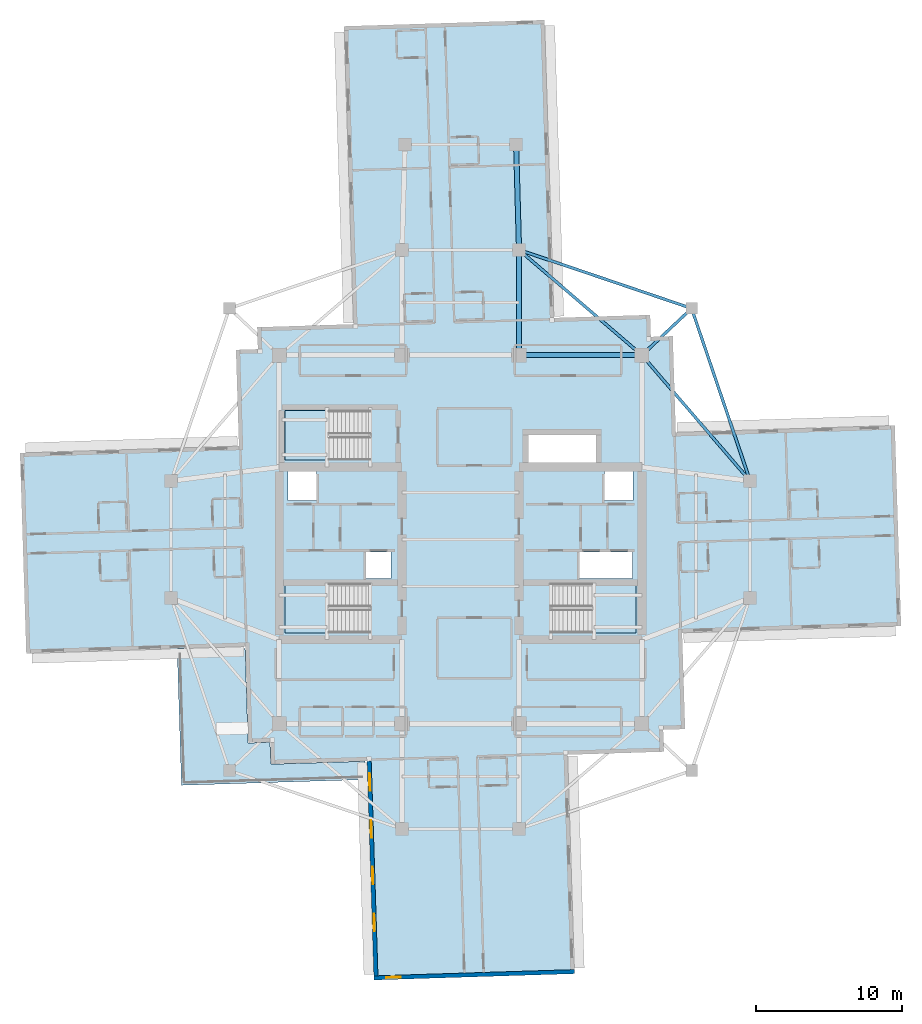
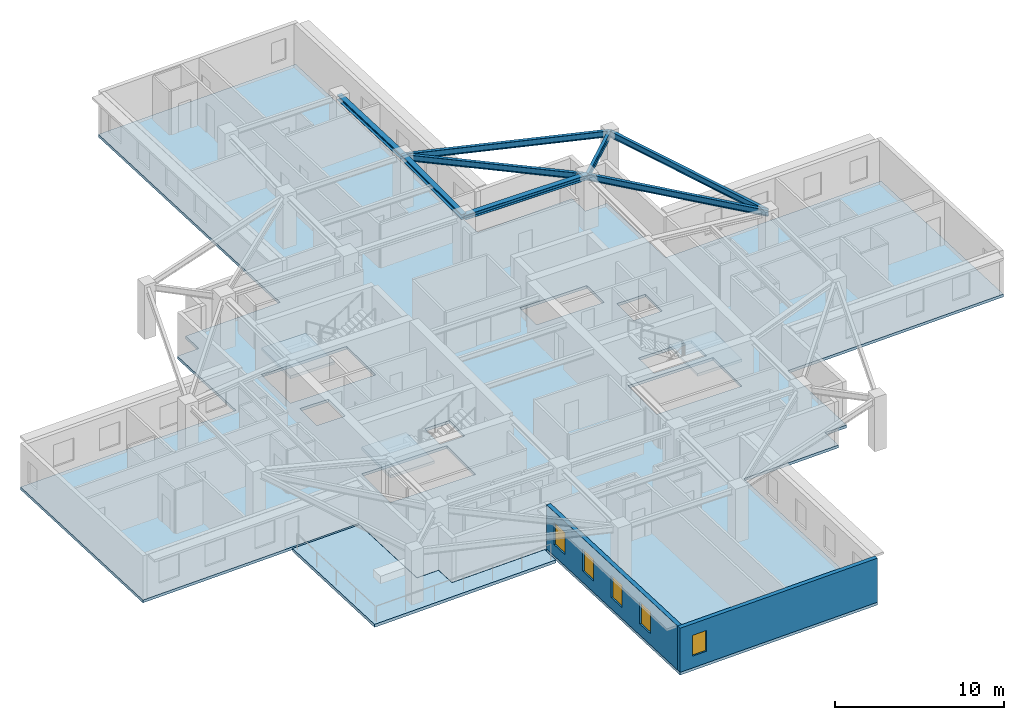
# One storey, part 2 of 12: 8 beams, 5 slabs, 5 windows, 2 walls, 5 openings, 3 elements without a shape of their own.
"""IFC4 building model written with IfcOpenShell, lengths in metres."""

from ifc_helpers import new_model, si_unit, direction, frame, frame_2d, origin, origin_2d, place, context, subcontext, project, spatial, polyline, rectangle, i_section, outline, extrude, material, layer, layer_set, material_profile, profile_set, type_object, element, fill, aggregate, save


model = new_model("IFC4")

# Units and contexts
model_context = context("Model", 3, precision=1e-05, world=origin(), true_north=direction((0.0, 1.0)))
body_context = subcontext(model_context, "Body", "Model", "MODEL_VIEW")
ifc_project = project(units=[si_unit("LENGTHUNIT", "METRE"), si_unit("AREAUNIT", "SQUARE_METRE"), si_unit("VOLUMEUNIT", "CUBIC_METRE"), si_unit("PLANEANGLEUNIT", "RADIAN"), si_unit("MASSUNIT", "GRAM", prefix="KILO")], contexts=[model_context])

# Site, building, storey
site_placement = place(None, origin())
site = spatial("IfcSite", under=ifc_project, at=site_placement, CompositionType="ELEMENT")
building_placement = place(site_placement, origin())
building = spatial("IfcBuilding", under=site, at=building_placement, Name="Qingluan Cross Belvedere", CompositionType="ELEMENT")
storey_placement = place(building_placement, frame((0.0, 0.0, 216.89990234375)))
storey = spatial("IfcBuildingStorey", under=building, at=storey_placement, Name="L54", CompositionType="ELEMENT", Elevation=216.89990234375)

# Beams
ifc_material_1 = material(Name="Steel Q420GJB", Category="steel")
ifc_material_profile_1 = material_profile(ifc_material_1, i_section(OverallWidth=0.199951171875, OverallDepth=0.449951171875, WebThickness=0.009033203125, FlangeThickness=0.013916015625, FilletRadius=0.01611328125, at=origin_2d()), Name="HN450x200x9x14")
ifc_profile_set_1 = profile_set([ifc_material_profile_1], Name="Steel Q420GJB")
beam_type_1 = type_object("IfcBeamType", Name="Steel_Beam_HN450x200x9x14", PredefinedType="JOIST", material=ifc_profile_set_1)
beam_1_placement = place(storey_placement, frame((12.39990234375, 12.60009765625, 3.47509765625), z_axis=(0.728219948308, 0.685343495546, 0.0), x_axis=(-0.685343495546, 0.728219948308, 0.0)))
element("IfcBeam", 1, at=beam_1_placement, inside=storey, type_object=beam_type_1, Name="Corner beam 1 L54-RNE", PredefinedType="JOIST", context=body_context, shape_type="SweptSolid", body=[
    extrude(i_section(OverallWidth=0.199951171875, OverallDepth=0.449951171875, WebThickness=0.009033203125, FlangeThickness=0.013916015625, FilletRadius=0.01611328125, at=origin_2d()), origin(), (0.0, 0.0, 1.0), 4.669189453125),
])
for number, where, z_axis, x_axis, name in (
    (2, (15.800048828125, 15.800048828125, 3.47509765625), (-0.947066283324, 0.321038089628, 0.0), (-0.321038089628, -0.947066283324, 0.0), "Corner beam 2 L54-RNE"),
    (3, (15.800048828125, 15.800048828125, 3.47509765625), (0.321038089628, -0.947066283324, 0.0), (0.947066283324, 0.321038089628, 0.0), "Corner beam 3 L54-RNE"),
):
    element("IfcBeam", number, at=place(storey_placement, frame(where, z_axis=z_axis, x_axis=x_axis)), inside=storey, type_object=beam_type_1, Name=name, PredefinedType="JOIST", context=body_context, shape_type="SweptSolid", body=[
        extrude(i_section(OverallWidth=0.199951171875, OverallDepth=0.449951171875, WebThickness=0.009033203125, FlangeThickness=0.013916015625, FilletRadius=0.01611328125, at=origin_2d()), origin(), (0.0, 0.0, 1.0), 12.45947265625),
    ])
beam_2_placement = place(storey_placement, frame((12.39990234375, 12.60009765625, 3.47509765625), z_axis=(0.652245077546, -0.75800815221, 0.0), x_axis=(0.75800815221, 0.652245077546, 0.0)))
element("IfcBeam", 4, at=beam_2_placement, inside=storey, type_object=beam_type_1, Name="Corner beam 4 L54-RNE", PredefinedType="JOIST", context=body_context, shape_type="SweptSolid", body=[
    extrude(i_section(OverallWidth=0.199951171875, OverallDepth=0.449951171875, WebThickness=0.009033203125, FlangeThickness=0.013916015625, FilletRadius=0.01611328125, at=origin_2d()), origin(), (0.0, 0.0, 1.0), 11.345703125),
])
beam_3_placement = place(storey_placement, frame((12.39990234375, 12.60009765625, 3.47509765625), z_axis=(-0.759255044656, 0.650793190779, 0.0), x_axis=(-0.650793190779, -0.759255044656, 0.0)))
element("IfcBeam", 5, at=beam_3_placement, inside=storey, type_object=beam_type_1, Name="Corner beam 5 L54-RNE", PredefinedType="JOIST", context=body_context, shape_type="SweptSolid", body=[
    extrude(i_section(OverallWidth=0.199951171875, OverallDepth=0.449951171875, WebThickness=0.009033203125, FlangeThickness=0.013916015625, FilletRadius=0.01611328125, at=origin_2d()), origin(), (0.0, 0.0, 1.0), 11.063232421875),
])
ifc_material_2 = material(Name="Steel Q420GJB", Category="steel")
ifc_material_profile_2 = material_profile(ifc_material_2, i_section(OverallWidth=0.35009765625, OverallDepth=0.35009765625, WebThickness=0.011962890625, FlangeThickness=0.01904296875, FilletRadius=0.02001953125, at=origin_2d()), Name="HW350x350x12x19")
ifc_profile_set_2 = profile_set([ifc_material_profile_2], Name="Steel Q420GJB")
beam_type_2 = type_object("IfcBeamType", Name="Steel_Girder_HW350x350x12x19", PredefinedType="USERDEFINED", material=ifc_profile_set_2)
beam_4_placement = place(storey_placement, frame((4.0, 12.60009765625, 3.525146484375), z_axis=(1.0, 0.0, 0.0), x_axis=(0.0, 1.0, 0.0)))
element("IfcBeam", 6, at=beam_4_placement, inside=storey, type_object=beam_type_2, Name="Hub girder L54-HG-N3", ObjectType="GIRDER", PredefinedType="USERDEFINED", context=body_context, shape_type="SweptSolid", body=[
    extrude(i_section(OverallWidth=0.35009765625, OverallDepth=0.35009765625, WebThickness=0.011962890625, FlangeThickness=0.01904296875, FilletRadius=0.02001953125, at=origin_2d()), origin(), (0.0, 0.0, 1.0), 8.39990234375),
])
beam_5_placement = place(storey_placement, frame((4.0, 12.60009765625, 3.525146484375), z_axis=(0.0, 1.0, 0.0), x_axis=(-1.0, 0.0, 0.0)))
element("IfcBeam", 7, at=beam_5_placement, inside=storey, type_object=beam_type_2, Name="Arm N radial girder B L54", ObjectType="GIRDER", PredefinedType="USERDEFINED", context=body_context, shape_type="SweptSolid", body=[
    extrude(i_section(OverallWidth=0.35009765625, OverallDepth=0.35009765625, WebThickness=0.011962890625, FlangeThickness=0.01904296875, FilletRadius=0.02001953125, at=origin_2d()), origin(), (0.0, 0.0, 1.0), 7.199951171875),
])
beam_6_placement = place(storey_placement, frame((4.0, 19.800048828125, 3.525146484375), z_axis=(-0.027760481514, 0.999614603568, 0.0), x_axis=(-0.999614603568, -0.027760481514, 0.0)))
element("IfcBeam", 8, at=beam_6_placement, inside=storey, type_object=beam_type_2, Name="Arm N outer radial girder B L54", ObjectType="GIRDER", PredefinedType="USERDEFINED", context=body_context, shape_type="SweptSolid", body=[
    extrude(i_section(OverallWidth=0.35009765625, OverallDepth=0.35009765625, WebThickness=0.011962890625, FlangeThickness=0.01904296875, FilletRadius=0.02001953125, at=origin_2d()), origin(), (0.0, 0.0, 1.0), 7.20263671875),
])

# Slab
ifc_material_3 = material(Name="Concrete C40", Category="concrete")
ifc_layer_1 = layer(ifc_material_3, 0.199951171875, Name="FloorSlab_200")
ifc_layer_set_1 = layer_set([ifc_layer_1], Name="Concrete C40")
slab_type_1 = type_object("IfcSlabType", Name="FloorSlab_200", PredefinedType="FLOOR", material=ifc_layer_set_1)
slab_1_placement = place(storey_placement, frame((0.0, 0.0, -0.199951171875)))
element("IfcSlab", 9, at=slab_1_placement, inside=storey, type_object=slab_type_1, Name="Structural floor slab L54", PredefinedType="FLOOR", context=body_context, shape_type="SweptSolid", body=[
    extrude(outline(polyline([(7.79638671875, -29.689697265625), (7.325927734375, -14.71728515625), (13.902587890625, -14.510498046875), (13.85546875, -13.01123046875), (15.354736328125, -12.964111328125), (15.148193359375, -6.38720703125), (30.12060546875, -5.916748046875), (29.689697265625, 7.79638671875), (14.71728515625, 7.325927734375), (14.510498046875, 13.902587890625), (13.01123046875, 13.85546875), (12.964111328125, 15.354736328125), (6.38720703125, 15.148193359375), (5.747314453125, 35.51806640625), (-7.966064453125, 35.087158203125), (-7.325927734375, 14.71728515625), (-13.902587890625, 14.510498046875), (-13.85546875, 13.01123046875), (-15.354736328125, 12.964111328125), (-15.148193359375, 6.38720703125), (-30.12060546875, 5.916748046875), (-29.689697265625, -7.79638671875), (-14.71728515625, -7.325927734375), (-14.510498046875, -13.902587890625), (-13.01123046875, -13.85546875), (-12.964111328125, -15.354736328125), (-6.38720703125, -15.148193359375), (-5.916748046875, -30.12060546875), (7.79638671875, -29.689697265625)]), holes=[polyline([(-12.0, -3.0), (-6.179931640625, -3.0), (-6.179931640625, -6.39990234375), (-12.0, -6.39990234375), (-12.0, -3.0)]), polyline([(6.179931640625, -3.0), (12.0, -3.0), (12.0, -6.39990234375), (6.179931640625, -6.39990234375), (6.179931640625, -3.0)]), polyline([(-12.0, 8.820068359375), (-6.179931640625, 8.820068359375), (-6.179931640625, 5.419921875), (-12.0, 5.419921875), (-12.0, 8.820068359375)]), polyline([(-11.800048828125, 4.64990234375), (-9.85009765625, 4.64990234375), (-9.85009765625, 2.64990234375), (-11.800048828125, 2.64990234375), (-11.800048828125, 4.64990234375)]), polyline([(9.85009765625, 4.64990234375), (11.800048828125, 4.64990234375), (11.800048828125, 2.64990234375), (9.85009765625, 2.64990234375), (9.85009765625, 4.64990234375)]), polyline([(-6.449951171875, -0.840087890625), (-4.75, -0.840087890625), (-4.75, -2.659912109375), (-6.449951171875, -2.659912109375), (-6.449951171875, -0.840087890625)]), polyline([(8.14990234375, -0.840087890625), (11.75, -0.840087890625), (11.75, -2.659912109375), (8.14990234375, -2.659912109375), (8.14990234375, -0.840087890625)]), polyline([(4.64990234375, 7.14990234375), (9.25, 7.14990234375), (9.25, 5.14990234375), (4.64990234375, 5.14990234375), (4.64990234375, 7.14990234375)])]), origin(), (0.0, 0.0, 1.0), 0.199951171875),
])

# Stair, slab
ifc_material_4 = material(Name="Concrete C40", Category="concrete")
stair_type = type_object("IfcStairType", Name="CoreDoglegStair_1620", PredefinedType="HALF_TURN_STAIR", material=ifc_material_4)
stair_1_placement = place(storey_placement, origin())
stair_1 = element("IfcStair", 10, at=stair_1_placement, inside=storey, type_object=stair_type, Name="L54 ST1", PredefinedType="HALF_TURN_STAIR")
ifc_material_5 = material(Name="Concrete C40", Category="concrete")
ifc_layer_2 = layer(ifc_material_5, 0.179931640625, Name="StairLandingSlab_180")
ifc_layer_set_2 = layer_set([ifc_layer_2], Name="Concrete C40")
slab_type_2 = type_object("IfcSlabType", Name="StairLandingSlab_180", PredefinedType="LANDING", material=ifc_layer_set_2)
slab_2_placement = place(storey_placement, frame((0.0, 0.0, 1.75)))
slab_2 = element("IfcSlab", 11, at=slab_2_placement, type_object=slab_type_2, Name="ST1 landing 1", PredefinedType="LANDING", context=body_context, shape_type="SweptSolid", body=[
    extrude(outline(polyline([(-8.97998046875, -3.0), (-12.0, -3.0), (-12.0, -6.39990234375), (-8.97998046875, -6.39990234375), (-8.97998046875, -3.0)])), origin(), (0.0, 0.0, 1.0), 0.2001953125),
])
aggregate(stair_1, [slab_2])

stair_2_placement = place(storey_placement, origin())
stair_2 = element("IfcStair", 12, at=stair_2_placement, inside=storey, type_object=stair_type, Name="L54 ST2", PredefinedType="HALF_TURN_STAIR")
slab_3_placement = place(storey_placement, frame((0.0, 0.0, 1.75)))
slab_3 = element("IfcSlab", 13, at=slab_3_placement, type_object=slab_type_2, Name="ST2 landing 1", PredefinedType="LANDING", context=body_context, shape_type="SweptSolid", body=[
    extrude(outline(polyline([(8.97998046875, -6.39990234375), (12.0, -6.39990234375), (12.0, -3.0), (8.97998046875, -3.0), (8.97998046875, -6.39990234375)])), origin(), (0.0, 0.0, 1.0), 0.2001953125),
])
aggregate(stair_2, [slab_3])

stair_3_placement = place(storey_placement, origin())
stair_3 = element("IfcStair", 14, at=stair_3_placement, inside=storey, type_object=stair_type, Name="L54 ST3", PredefinedType="HALF_TURN_STAIR")
slab_4_placement = place(storey_placement, frame((0.0, 0.0, 1.75)))
slab_4 = element("IfcSlab", 15, at=slab_4_placement, type_object=slab_type_2, Name="ST3 landing 1", PredefinedType="LANDING", context=body_context, shape_type="SweptSolid", body=[
    extrude(outline(polyline([(-8.97998046875, 8.820068359375), (-12.0, 8.820068359375), (-12.0, 5.419921875), (-8.97998046875, 5.419921875), (-8.97998046875, 8.820068359375)])), origin(), (0.0, 0.0, 1.0), 0.2001953125),
])
aggregate(stair_3, [slab_4])

# Slab
ifc_material_6 = material(Name="Concrete C40", Category="concrete")
ifc_layer_3 = layer(ifc_material_6, 0.219970703125, Name="TerraceSlab_220")
ifc_layer_set_3 = layer_set([ifc_layer_3], Name="Concrete C40")
slab_type_3 = type_object("IfcSlabType", Name="TerraceSlab_220", PredefinedType="FLOOR", material=ifc_layer_set_3)
slab_5_placement = place(storey_placement, frame((0.0, 0.0, -0.219970703125)))
element("IfcSlab", 16, at=slab_5_placement, inside=storey, type_object=slab_type_3, Name="Spiralling winter-garden terrace slab L54", PredefinedType="FLOOR", context=body_context, shape_type="SweptSolid", body=[
    extrude(outline(polyline([(-6.527099609375, -15.16259765625), (-12.969482421875, -15.36328125), (-13.02099609375, -13.86572265625), (-14.51025390625, -13.91259765625), (-14.520263671875, -13.90478515625), (-14.72265625, -7.466064453125), (-19.37060546875, -7.6123046875), (-19.08154296875, -16.8076171875), (-6.48779296875, -16.411865234375), (-6.527099609375, -15.16259765625)])), origin(), (0.0, 0.0, 1.0), 0.219970703125),
])

# Wall, openings, windows
ifc_material_7 = material(Name="Precast concrete C45", Category="concrete")
ifc_layer_4 = layer(ifc_material_7, 0.280029296875, Name="PrecastFacadeWall_280")
ifc_layer_set_4 = layer_set([ifc_layer_4], Name="Precast concrete C45")
wall_type = type_object("IfcWallType", Name="PrecastFacadeWall_280", PredefinedType="STANDARD", material=ifc_layer_set_4)
wall_1_placement = place(storey_placement, frame((-6.247314453125, -15.143798828125, 0.0), z_axis=(0.0, 0.0, 1.0), x_axis=(0.031406376864, -0.999506698073, 0.0)))
wall_1 = element("IfcWall", 17, at=wall_1_placement, inside=storey, type_object=wall_type, Name="Facade wall L54-SA", PredefinedType="STANDARD", context=body_context, shape_type="SweptSolid", body=[
    extrude(rectangle(XDim=14.699951171875, YDim=0.280029296875, at=frame_2d((7.35009765625, 0.0))), origin(), (0.0, 0.0, 1.0), 3.18017578125),
])
opening_1_placement = place(wall_1_placement, frame((0.85009765625, 0.0, 0.800048828125)))
opening_1 = element("IfcOpeningElement", 18, at=opening_1_placement, cuts=wall_1, Name="Opening W-02", PredefinedType="OPENING", context=body_context, shape_type="SweptSolid", body=[
    extrude(rectangle(XDim=1.199951171875, YDim=1.60009765625, at=frame_2d((0.60009765625, 0.800048828125))), frame((0.0, 0.14990234375, 0.0), z_axis=(0.0, -1.0, 0.0), x_axis=(1.0, 0.0, 0.0)), (0.0, 0.0, 1.0), 0.300048828125),
])
opening_2_placement = place(wall_1_placement, frame((4.050048828125, 0.0, 0.800048828125)))
opening_2 = element("IfcOpeningElement", 19, at=opening_2_placement, cuts=wall_1, Name="Opening W-02", PredefinedType="OPENING", context=body_context, shape_type="SweptSolid", body=[
    extrude(rectangle(XDim=1.199951171875, YDim=1.60009765625, at=frame_2d((0.60009765625, 0.800048828125))), frame((0.0, 0.14990234375, 0.0), z_axis=(0.0, -1.0, 0.0), x_axis=(1.0, 0.0, 0.0)), (0.0, 0.0, 1.0), 0.300048828125),
])
opening_3_placement = place(wall_1_placement, frame((7.25, 0.0, 0.800048828125)))
opening_3 = element("IfcOpeningElement", 20, at=opening_3_placement, cuts=wall_1, Name="Opening W-02", PredefinedType="OPENING", context=body_context, shape_type="SweptSolid", body=[
    extrude(rectangle(XDim=1.199951171875, YDim=1.60009765625, at=frame_2d((0.60009765625, 0.800048828125))), frame((0.0, 0.14990234375, 0.0), z_axis=(0.0, -1.0, 0.0), x_axis=(1.0, 0.0, 0.0)), (0.0, 0.0, 1.0), 0.300048828125),
])
opening_4_placement = place(wall_1_placement, frame((10.449951171875, 0.0, 0.800048828125)))
opening_4 = element("IfcOpeningElement", 21, at=opening_4_placement, cuts=wall_1, Name="Opening W-02", PredefinedType="OPENING", context=body_context, shape_type="SweptSolid", body=[
    extrude(rectangle(XDim=1.199951171875, YDim=1.60009765625, at=frame_2d((0.60009765625, 0.800048828125))), frame((0.0, 0.14990234375, 0.0), z_axis=(0.0, -1.0, 0.0), x_axis=(1.0, 0.0, 0.0)), (0.0, 0.0, 1.0), 0.300048828125),
])
ifc_material_8 = material(Name="Thermally broken triple Low-E glass in aluminium frame", Category="aluminium")
window_type_1 = type_object("IfcWindowType", Name="TriRibbonWin_1200x1600", PartitioningType="SINGLE_PANEL", PredefinedType="WINDOW", material=ifc_material_8)
window_1_placement = place(opening_1_placement, origin())
window_1 = element("IfcWindow", 22, at=window_1_placement, inside=storey, type_object=window_type_1, Name="Ribbon window L54-SA-1", OverallHeight=1.60009765625, OverallWidth=1.199951171875, PartitioningType="SINGLE_PANEL", PredefinedType="WINDOW", context=body_context, shape_type="SweptSolid", body=[
    extrude(rectangle(XDim=1.199951171875, YDim=1.60009765625, at=frame_2d((0.60009765625, 0.800048828125))), frame((0.0, 0.030029296875, 0.0), z_axis=(0.0, -1.0, 0.0), x_axis=(1.0, 0.0, 0.0)), (0.0, 0.0, 1.0), 0.06005859375),
])
fill(opening_1, window_1)
window_2_placement = place(opening_2_placement, origin())
window_2 = element("IfcWindow", 23, at=window_2_placement, inside=storey, type_object=window_type_1, Name="Ribbon window L54-SA-2", OverallHeight=1.60009765625, OverallWidth=1.199951171875, PartitioningType="SINGLE_PANEL", PredefinedType="WINDOW", context=body_context, shape_type="SweptSolid", body=[
    extrude(rectangle(XDim=1.199951171875, YDim=1.60009765625, at=frame_2d((0.60009765625, 0.800048828125))), frame((0.0, 0.030029296875, 0.0), z_axis=(0.0, -1.0, 0.0), x_axis=(1.0, 0.0, 0.0)), (0.0, 0.0, 1.0), 0.06005859375),
])
fill(opening_2, window_2)
window_3_placement = place(opening_3_placement, origin())
window_3 = element("IfcWindow", 24, at=window_3_placement, inside=storey, type_object=window_type_1, Name="Ribbon window L54-SA-3", OverallHeight=1.60009765625, OverallWidth=1.199951171875, PartitioningType="SINGLE_PANEL", PredefinedType="WINDOW", context=body_context, shape_type="SweptSolid", body=[
    extrude(rectangle(XDim=1.199951171875, YDim=1.60009765625, at=frame_2d((0.60009765625, 0.800048828125))), frame((0.0, 0.030029296875, 0.0), z_axis=(0.0, -1.0, 0.0), x_axis=(1.0, 0.0, 0.0)), (0.0, 0.0, 1.0), 0.06005859375),
])
fill(opening_3, window_3)
window_4_placement = place(opening_4_placement, origin())
window_4 = element("IfcWindow", 25, at=window_4_placement, inside=storey, type_object=window_type_1, Name="Ribbon window L54-SA-4", OverallHeight=1.60009765625, OverallWidth=1.199951171875, PartitioningType="SINGLE_PANEL", PredefinedType="WINDOW", context=body_context, shape_type="SweptSolid", body=[
    extrude(rectangle(XDim=1.199951171875, YDim=1.60009765625, at=frame_2d((0.60009765625, 0.800048828125))), frame((0.0, 0.030029296875, 0.0), z_axis=(0.0, -1.0, 0.0), x_axis=(1.0, 0.0, 0.0)), (0.0, 0.0, 1.0), 0.06005859375),
])
fill(opening_4, window_4)

# Wall, opening, window
wall_2_placement = place(storey_placement, frame((-5.921142578125, -29.980712890625, 0.0), z_axis=(0.0, 0.0, 1.0), x_axis=(0.999506662003, 0.031407524763, 0.0)))
wall_2 = element("IfcWall", 26, at=wall_2_placement, inside=storey, type_object=wall_type, Name="Arm tip precast facade wall L54-S", PredefinedType="STANDARD", context=body_context, shape_type="SweptSolid", body=[
    extrude(rectangle(XDim=13.719970703125, YDim=0.280029296875, at=frame_2d((6.85986328125, 0.0))), origin(), (0.0, 0.0, 1.0), 3.18017578125),
])
opening_5_placement = place(wall_2_placement, frame((0.85009765625, 0.0, 0.85009765625)))
opening_5 = element("IfcOpeningElement", 27, at=opening_5_placement, cuts=wall_2, Name="Opening W-03", PredefinedType="OPENING", context=body_context, shape_type="SweptSolid", body=[
    extrude(rectangle(XDim=1.0, YDim=1.5, at=frame_2d((0.5, 0.75))), frame((0.0, 0.14990234375, 0.0), z_axis=(0.0, -1.0, 0.0), x_axis=(1.0, 0.0, 0.0)), (0.0, 0.0, 1.0), 0.300048828125),
])
ifc_material_9 = material(Name="Thermally broken triple Low-E glass in aluminium frame", Category="aluminium")
window_type_2 = type_object("IfcWindowType", Name="TriApexWin_1000x1500", PartitioningType="SINGLE_PANEL", PredefinedType="WINDOW", material=ifc_material_9)
window_5_placement = place(opening_5_placement, origin())
window_5 = element("IfcWindow", 28, at=window_5_placement, inside=storey, type_object=window_type_2, Name="Arm tip triangular window L54-S", OverallHeight=1.5, OverallWidth=1.0, PartitioningType="SINGLE_PANEL", PredefinedType="WINDOW", context=body_context, shape_type="SweptSolid", body=[
    extrude(rectangle(XDim=1.0, YDim=1.5, at=frame_2d((0.5, 0.75))), frame((0.0, 0.030029296875, 0.0), z_axis=(0.0, -1.0, 0.0), x_axis=(1.0, 0.0, 0.0)), (0.0, 0.0, 1.0), 0.06005859375),
])
fill(opening_5, window_5)

save(model, "model.ifc")
